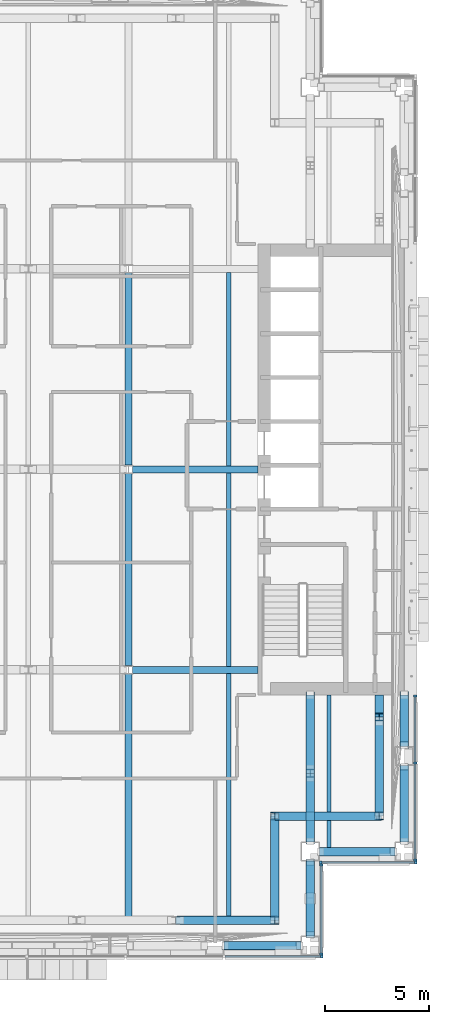
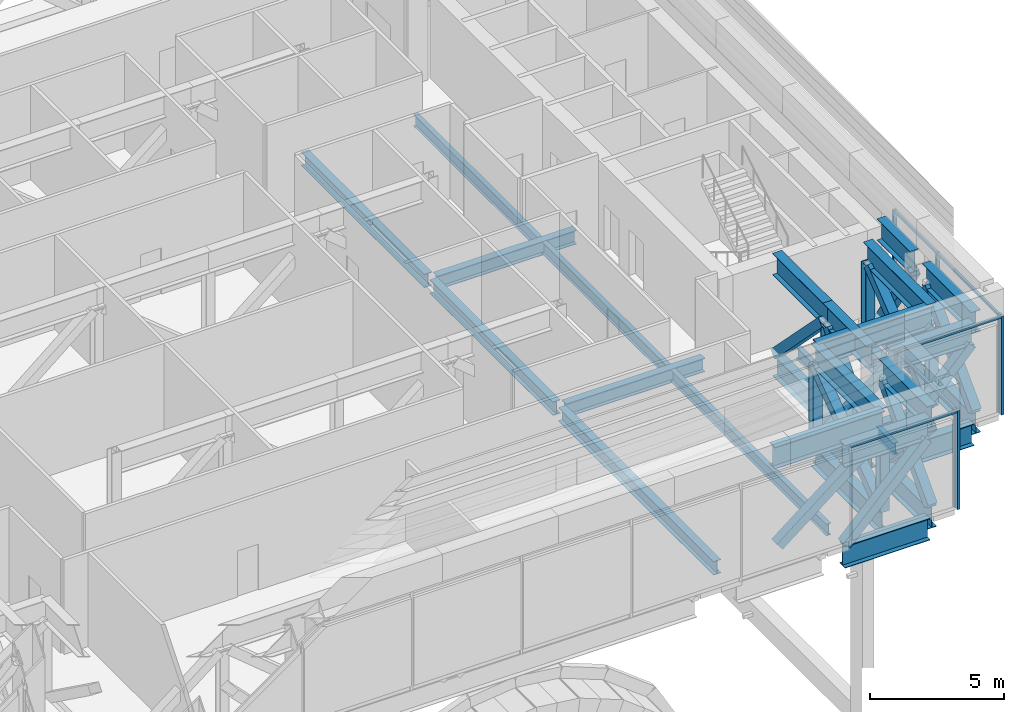
# One storey, part 5 of 38: 51 members, 10 beams, 4 elements without a shape of their own.
"""IFC4 building model written with IfcOpenShell, lengths in metres."""

from ifc_helpers import new_model, si_unit, direction, frame, origin, origin_2d, place, context, subcontext, project, spatial, rectangle, hollow_rectangle, i_section, extrude, material, material_profile, profile_set, type_object, element, aggregate, save


model = new_model("IFC4")

# Units and contexts
model_context = context("Model", 3, precision=1e-05, world=origin(), true_north=direction((0.0, 1.0)))
body_context = subcontext(model_context, "Body", "Model", "MODEL_VIEW")
ifc_project = project(units=[si_unit("LENGTHUNIT", "METRE"), si_unit("AREAUNIT", "SQUARE_METRE"), si_unit("VOLUMEUNIT", "CUBIC_METRE"), si_unit("PLANEANGLEUNIT", "RADIAN"), si_unit("MASSUNIT", "GRAM", prefix="KILO")], contexts=[model_context])

# Site, building, storey
site_placement = place(None, origin())
site = spatial("IfcSite", under=ifc_project, at=site_placement, CompositionType="ELEMENT")
building_placement = place(site_placement, origin())
building = spatial("IfcBuilding", under=site, at=building_placement, Name="Cobrizo Arcos Hotel Tower", CompositionType="ELEMENT")
storey_placement = place(building_placement, frame((0.0, 0.0, 138.0)))
storey = spatial("IfcBuildingStorey", under=building, at=storey_placement, Name="L35", CompositionType="ELEMENT", Elevation=138.0)

# Curtain wall, member
ifc_material_1 = material(Name="Aluminium 6063-T6 anodised bronze", Category="aluminium")
curtain_wall_type = type_object("IfcCurtainWallType", Name="CW-D plant louvre wall", PredefinedType="NOTDEFINED", material=ifc_material_1)
curtain_wall_1_placement = place(storey_placement, origin())
curtain_wall_1 = element("IfcCurtainWall", 1, at=curtain_wall_1_placement, inside=storey, type_object=curtain_wall_type, Name="CW-D L35 S face", PredefinedType="NOTDEFINED")
ifc_material_profile_1 = material_profile(ifc_material_1, rectangle(XDim=0.14990234375, YDim=0.10009765625, at=origin_2d()), Name="CW-D mullion 150x100")
ifc_profile_set_1 = profile_set([ifc_material_profile_1], Name="Aluminium 6063-T6 anodised bronze")
member_type_1 = type_object("IfcMemberType", Name="CW-D mullion 150x100", PredefinedType="MULLION", material=ifc_profile_set_1)
member_1_placement = place(storey_placement, frame((18.85009765625, -23.324951171875, 0.0), z_axis=(0.0, 0.0, 1.0), x_axis=(0.0, -1.0, 0.0)))
member_1 = element("IfcMember", 2, at=member_1_placement, type_object=member_type_1, Name="CW-D mullion 9", PredefinedType="MULLION", context=body_context, shape_type="SweptSolid", body=[
    extrude(rectangle(XDim=0.14990234375, YDim=0.10009765625, at=origin_2d()), origin(), (0.0, 0.0, 1.0), 4.5),
])

# Curtain wall, members
curtain_wall_2_placement = place(storey_placement, origin())
curtain_wall_2 = element("IfcCurtainWall", 3, at=curtain_wall_2_placement, inside=storey, type_object=curtain_wall_type, Name="CW-D L35 E face", PredefinedType="NOTDEFINED")
member_2_placement = place(storey_placement, frame((18.824951171875, -23.199951171875, 0.0), z_axis=(0.0, 0.0, 1.0), x_axis=(1.0, 0.0, 0.0)))
member_2 = element("IfcMember", 4, at=member_2_placement, type_object=member_type_1, Name="CW-D mullion 1", PredefinedType="MULLION", context=body_context, shape_type="SweptSolid", body=[
    extrude(rectangle(XDim=0.14990234375, YDim=0.10009765625, at=origin_2d()), origin(), (0.0, 0.0, 1.0), 4.5),
])
member_3_placement = place(storey_placement, frame((18.824951171875, -18.949951171875, 0.0), z_axis=(0.0, 0.0, 1.0), x_axis=(1.0, 0.0, 0.0)))
member_3 = element("IfcMember", 5, at=member_3_placement, type_object=member_type_1, Name="CW-D mullion 2", PredefinedType="MULLION", context=body_context, shape_type="SweptSolid", body=[
    extrude(rectangle(XDim=0.14990234375, YDim=0.10009765625, at=origin_2d()), origin(), (0.0, 0.0, 1.0), 4.5),
])

curtain_wall_3_placement = place(storey_placement, origin())
curtain_wall_3 = element("IfcCurtainWall", 6, at=curtain_wall_3_placement, inside=storey, type_object=curtain_wall_type, Name="CW-D L35 S face", PredefinedType="NOTDEFINED")
member_4_placement = place(storey_placement, frame((18.800048828125, -18.824951171875, 0.0), z_axis=(0.0, 0.0, 1.0), x_axis=(0.0, -1.0, 0.0)))
member_4 = element("IfcMember", 7, at=member_4_placement, type_object=member_type_1, Name="CW-D mullion 1", PredefinedType="MULLION", context=body_context, shape_type="SweptSolid", body=[
    extrude(rectangle(XDim=0.14990234375, YDim=0.10009765625, at=origin_2d()), origin(), (0.0, 0.0, 1.0), 4.5),
])
member_5_placement = place(storey_placement, frame((23.35009765625, -18.824951171875, 0.0), z_axis=(0.0, 0.0, 1.0), x_axis=(0.0, -1.0, 0.0)))
member_5 = element("IfcMember", 8, at=member_5_placement, type_object=member_type_1, Name="CW-D mullion 2", PredefinedType="MULLION", context=body_context, shape_type="SweptSolid", body=[
    extrude(rectangle(XDim=0.14990234375, YDim=0.10009765625, at=origin_2d()), origin(), (0.0, 0.0, 1.0), 4.5),
])

curtain_wall_4_placement = place(storey_placement, origin())
curtain_wall_4 = element("IfcCurtainWall", 9, at=curtain_wall_4_placement, inside=storey, type_object=curtain_wall_type, Name="CW-D L35 E face", PredefinedType="NOTDEFINED")
member_6_placement = place(storey_placement, frame((23.324951171875, -18.699951171875, 0.0), z_axis=(0.0, 0.0, 1.0), x_axis=(1.0, 0.0, 0.0)))
member_6 = element("IfcMember", 10, at=member_6_placement, type_object=member_type_1, Name="CW-D mullion 1", PredefinedType="MULLION", context=body_context, shape_type="SweptSolid", body=[
    extrude(rectangle(XDim=0.14990234375, YDim=0.10009765625, at=origin_2d()), origin(), (0.0, 0.0, 1.0), 4.5),
])
member_7_placement = place(storey_placement, frame((23.324951171875, -14.0625, 0.0), z_axis=(0.0, 0.0, 1.0), x_axis=(1.0, 0.0, 0.0)))
member_7 = element("IfcMember", 11, at=member_7_placement, type_object=member_type_1, Name="CW-D mullion 2", PredefinedType="MULLION", context=body_context, shape_type="SweptSolid", body=[
    extrude(rectangle(XDim=0.14990234375, YDim=0.10009765625, at=origin_2d()), origin(), (0.0, 0.0, 1.0), 4.5),
])
member_8_placement = place(storey_placement, frame((23.324951171875, -10.85009765625, 0.0), z_axis=(0.0, 0.0, 1.0), x_axis=(1.0, 0.0, 0.0)))
member_8 = element("IfcMember", 12, at=member_8_placement, type_object=member_type_1, Name="CW-D mullion 3", PredefinedType="MULLION", context=body_context, shape_type="SweptSolid", body=[
    extrude(rectangle(XDim=0.14990234375, YDim=0.10009765625, at=origin_2d()), origin(), (0.0, 0.0, 1.0), 4.5),
])

# Member
ifc_material_profile_2 = material_profile(ifc_material_1, rectangle(XDim=0.10009765625, YDim=0.10009765625, at=origin_2d()), Name="CW-D transom 100x100")
ifc_profile_set_2 = profile_set([ifc_material_profile_2], Name="Aluminium 6063-T6 anodised bronze")
member_type_2 = type_object("IfcMemberType", Name="CW-D transom 100x100", PredefinedType="USERDEFINED", material=ifc_profile_set_2)
member_9_placement = place(storey_placement, frame((14.22509765625, -23.324951171875, 4.449951171875), z_axis=(1.0, 0.0, 0.0), x_axis=(0.0, 1.0, 0.0)))
member_9 = element("IfcMember", 13, at=member_9_placement, type_object=member_type_2, Name="CW-D transom 1282", ObjectType="TRANSOM", PredefinedType="USERDEFINED", context=body_context, shape_type="SweptSolid", body=[
    extrude(rectangle(XDim=0.10009765625, YDim=0.10009765625, at=origin_2d()), origin(), (0.0, 0.0, 1.0), 4.574951171875),
])

aggregate(curtain_wall_1, [member_1, member_9])

member_10_placement = place(storey_placement, frame((18.824951171875, -23.14990234375, 4.449951171875), z_axis=(0.0, 1.0, 0.0), x_axis=(-1.0, 0.0, 0.0)))
member_10 = element("IfcMember", 14, at=member_10_placement, type_object=member_type_2, Name="CW-D transom 1283", ObjectType="TRANSOM", PredefinedType="USERDEFINED", context=body_context, shape_type="SweptSolid", body=[
    extrude(rectangle(XDim=0.10009765625, YDim=0.10009765625, at=origin_2d()), origin(), (0.0, 0.0, 1.0), 4.14990234375),
])

aggregate(curtain_wall_2, [member_2, member_3, member_10])

member_11_placement = place(storey_placement, frame((18.85009765625, -18.824951171875, 4.449951171875), z_axis=(1.0, 0.0, 0.0), x_axis=(0.0, 1.0, 0.0)))
member_11 = element("IfcMember", 15, at=member_11_placement, type_object=member_type_2, Name="CW-D transom 1284", ObjectType="TRANSOM", PredefinedType="USERDEFINED", context=body_context, shape_type="SweptSolid", body=[
    extrude(rectangle(XDim=0.10009765625, YDim=0.10009765625, at=origin_2d()), origin(), (0.0, 0.0, 1.0), 4.449951171875),
])

aggregate(curtain_wall_3, [member_4, member_5, member_11])

member_12_placement = place(storey_placement, frame((23.324951171875, -18.64990234375, 4.449951171875), z_axis=(0.0, 1.0, 0.0), x_axis=(-1.0, 0.0, 0.0)))
member_12 = element("IfcMember", 16, at=member_12_placement, type_object=member_type_2, Name="CW-D transom 1285", ObjectType="TRANSOM", PredefinedType="USERDEFINED", context=body_context, shape_type="SweptSolid", body=[
    extrude(rectangle(XDim=0.10009765625, YDim=0.10009765625, at=origin_2d()), origin(), (0.0, 0.0, 1.0), 4.537353515625),
])

member_13_placement = place(storey_placement, frame((23.324951171875, -14.012451171875, 4.449951171875), z_axis=(0.0, 1.0, 0.0), x_axis=(-1.0, 0.0, 0.0)))
member_13 = element("IfcMember", 17, at=member_13_placement, type_object=member_type_2, Name="CW-D transom 1286", ObjectType="TRANSOM", PredefinedType="USERDEFINED", context=body_context, shape_type="SweptSolid", body=[
    extrude(rectangle(XDim=0.10009765625, YDim=0.10009765625, at=origin_2d()), origin(), (0.0, 0.0, 1.0), 3.112548828125),
])

aggregate(curtain_wall_4, [member_6, member_7, member_8, member_12, member_13])

# Members
ifc_material_2 = material(Name="Steel ASTM A500 Grade C", Category="steel")
ifc_material_profile_3 = material_profile(ifc_material_2, hollow_rectangle(XDim=0.406494140625, YDim=0.406494140625, WallThickness=0.014892578125, at=origin_2d()), Name="HSS16X16X5/8")
ifc_profile_set_3 = profile_set([ifc_material_profile_3], Name="Steel ASTM A500 Grade C")
member_type_3 = type_object("IfcMemberType", Name="HSS16X16X5/8 truss diagonal", PredefinedType="BRACE", material=ifc_profile_set_3)
member_14_placement = place(storey_placement, frame((14.2548828125, -22.800048828125, -0.300048828125), z_axis=(0.697692612805, 0.0, 0.716397248764), x_axis=(0.0, 1.0, 0.0)))
element("IfcMember", 18, at=member_14_placement, inside=storey, type_object=member_type_3, Name="Belt truss diagonal TD1, L35, no. 007", PredefinedType="BRACE", context=body_context, shape_type="SweptSolid", body=[
    extrude(hollow_rectangle(XDim=0.406494140625, YDim=0.406494140625, WallThickness=0.014892578125, at=origin_2d()), origin(), (0.0, 0.0, 1.0), 5.038330078125),
])
for number, where, z_axis, x_axis, name in (
    (19, (18.300048828125, -22.27001953125, -0.300048828125), (0.0, 0.689911887798, 0.723893353385), (-1.0, 0.0, 0.0), "Belt truss diagonal TD1, L35, no. 008"),
    (20, (18.830078125, -18.300048828125, -0.300048828125), (0.689911887798, 0.0, 0.723893353385), (0.0, 1.0, 0.0), "Belt truss diagonal TD1, L35, no. 009"),
):
    element("IfcMember", number, at=place(storey_placement, frame(where, z_axis=z_axis, x_axis=x_axis)), inside=storey, type_object=member_type_3, Name=name, PredefinedType="BRACE", context=body_context, shape_type="SweptSolid", body=[
        extrude(hollow_rectangle(XDim=0.406494140625, YDim=0.406494140625, WallThickness=0.014892578125, at=origin_2d()), origin(), (0.0, 0.0, 1.0), 4.986083984375),
    ])
member_15_placement = place(storey_placement, frame((22.800048828125, -17.77001953125, -0.300048828125), z_axis=(0.0, 0.697692612805, 0.716397248764), x_axis=(-1.0, 0.0, 0.0)))
element("IfcMember", 21, at=member_15_placement, inside=storey, type_object=member_type_3, Name="Belt truss diagonal TD1, L35, no. 010", PredefinedType="BRACE", context=body_context, shape_type="SweptSolid", body=[
    extrude(hollow_rectangle(XDim=0.406494140625, YDim=0.406494140625, WallThickness=0.014892578125, at=origin_2d()), origin(), (0.0, 0.0, 1.0), 5.038330078125),
])
member_16_placement = place(storey_placement, frame((22.800048828125, -13.195068359375, 3.309326171875), z_axis=(0.0, 0.552747460916, -0.833348813194), x_axis=(-1.0, 0.0, 0.0)))
element("IfcMember", 22, at=member_16_placement, inside=storey, type_object=member_type_3, Name="Belt truss diagonal TD1, L35, no. 011", PredefinedType="BRACE", context=body_context, shape_type="SweptSolid", body=[
    extrude(hollow_rectangle(XDim=0.406494140625, YDim=0.406494140625, WallThickness=0.014892578125, at=origin_2d()), origin(), (0.0, 0.0, 1.0), 4.3310546875),
])
member_17_placement = place(storey_placement, frame((12.056884765625, -21.60009765625, -0.300048828125), z_axis=(0.782982461562, 0.0, 0.622043780522), x_axis=(0.0, 1.0, 0.0)))
element("IfcMember", 23, at=member_17_placement, inside=storey, type_object=member_type_3, Name="Belt truss diagonal TD1, L35, no. 037", PredefinedType="BRACE", context=body_context, shape_type="SweptSolid", body=[
    extrude(hollow_rectangle(XDim=0.406494140625, YDim=0.406494140625, WallThickness=0.014892578125, at=origin_2d()), origin(), (0.0, 0.0, 1.0), 5.802490234375),
])
for number, where, z_axis, x_axis, name in (
    (24, (16.60009765625, -21.60009765625, -0.300048828125), (0.0, 0.810812835162, 0.585305515382), (-1.0, 0.0, 0.0), "Belt truss diagonal TD1, L35, no. 038"),
    (25, (16.60009765625, -16.60009765625, -0.300048828125), (0.810812835162, 0.0, 0.585305515382), (0.0, 1.0, 0.0), "Belt truss diagonal TD1, L35, no. 039"),
):
    element("IfcMember", number, at=place(storey_placement, frame(where, z_axis=z_axis, x_axis=x_axis)), inside=storey, type_object=member_type_3, Name=name, PredefinedType="BRACE", context=body_context, shape_type="SweptSolid", body=[
        extrude(hollow_rectangle(XDim=0.406494140625, YDim=0.406494140625, WallThickness=0.014892578125, at=origin_2d()), origin(), (0.0, 0.0, 1.0), 6.166748046875),
    ])
member_18_placement = place(storey_placement, frame((21.60009765625, -16.60009765625, -0.300048828125), z_axis=(0.0, 0.782982461562, 0.622043780522), x_axis=(-1.0, 0.0, 0.0)))
element("IfcMember", 26, at=member_18_placement, inside=storey, type_object=member_type_3, Name="Belt truss diagonal TD1, L35, no. 040", PredefinedType="BRACE", context=body_context, shape_type="SweptSolid", body=[
    extrude(hollow_rectangle(XDim=0.406494140625, YDim=0.406494140625, WallThickness=0.014892578125, at=origin_2d()), origin(), (0.0, 0.0, 1.0), 5.802490234375),
])
member_19_placement = place(storey_placement, frame((18.300048828125, -10.800048828125, -0.300048828125), z_axis=(0.0, -0.70122330533, 0.712941705935), x_axis=(1.0, 0.0, 0.0)))
element("IfcMember", 27, at=member_19_placement, inside=storey, type_object=member_type_3, Name="Outrigger diagonal TD1, L35, no. 001", PredefinedType="BRACE", context=body_context, shape_type="SweptSolid", body=[
    extrude(hollow_rectangle(XDim=0.406494140625, YDim=0.406494140625, WallThickness=0.014892578125, at=origin_2d()), origin(), (0.0, 0.0, 1.0), 5.062744140625),
])
member_20_placement = place(storey_placement, frame((18.300048828125, -14.75, 3.309326171875), z_axis=(0.0, -0.641713914512, -0.766944099607), x_axis=(1.0, 0.0, 0.0)))
element("IfcMember", 28, at=member_20_placement, inside=storey, type_object=member_type_3, Name="Outrigger diagonal TD1, L35, no. 002", PredefinedType="BRACE", context=body_context, shape_type="SweptSolid", body=[
    extrude(hollow_rectangle(XDim=0.406494140625, YDim=0.406494140625, WallThickness=0.014892578125, at=origin_2d()), origin(), (0.0, 0.0, 1.0), 4.706298828125),
])
for number, where, z_axis, x_axis, name in (
    (29, (18.300048828125, -18.830078125, -0.300048828125), (0.0, -0.689904799706, 0.723900108677), (1.0, 0.0, 0.0), "Outrigger diagonal TD1, L35, no. 003"),
    (30, (18.300048828125, -20.669677734375, 1.630126953125), (0.0, -0.689904799706, 0.723900108677), (1.0, 0.0, 0.0), "Outrigger diagonal TD1, L35, no. 003b"),
):
    element("IfcMember", number, at=place(storey_placement, frame(where, z_axis=z_axis, x_axis=x_axis)), inside=storey, type_object=member_type_3, Name=name, PredefinedType="BRACE", context=body_context, shape_type="SweptSolid", body=[
        extrude(hollow_rectangle(XDim=0.406494140625, YDim=0.406494140625, WallThickness=0.014892578125, at=origin_2d()), origin(), (0.0, 0.0, 1.0), 2.319580078125),
    ])
ifc_material_3 = material(Name="Steel ASTM A992 Grade 50", Category="steel")
ifc_material_profile_4 = material_profile(ifc_material_3, i_section(OverallWidth=0.373291015625, OverallDepth=0.373291015625, WebThickness=0.016357421875, FlangeThickness=0.026123046875, at=origin_2d()), Name="W14X132")
ifc_profile_set_4 = profile_set([ifc_material_profile_4], Name="Steel ASTM A992 Grade 50")
member_type_4 = type_object("IfcMemberType", Name="W14X132 truss post", PredefinedType="POST", material=ifc_profile_set_4)
for number, where, z_axis, x_axis, name in (
    (31, (16.60009765625, -21.60009765625, -0.300048828125), (0.0, 0.0, 1.0), (1.0, 0.0, 0.0), "Truss post TP1, L35, no. 012"),
    (32, (16.60009765625, -16.60009765625, -0.300048828125), (0.0, 0.0, 1.0), (1.0, 0.0, 0.0), "Truss post TP1, L35, no. 013"),
    (33, (21.60009765625, -16.60009765625, -0.300048828125), (0.0, 0.0, 1.0), (1.0, 0.0, 0.0), "Truss post TP1, L35, no. 014"),
    (34, (21.60009765625, -11.85693359375, -0.300048828125), (0.0, 0.0, 1.0), (1.0, 0.0, 0.0), "Truss post TP1, L35, no. 015"),
    (35, (18.300048828125, -14.550048828125, -0.300048828125), (0.0, 0.0, 1.0), (1.0, 0.0, 0.0), "Truss post TP1, L35, no. 033"),
):
    element("IfcMember", number, at=place(storey_placement, frame(where, z_axis=z_axis, x_axis=x_axis)), inside=storey, type_object=member_type_4, Name=name, PredefinedType="POST", context=body_context, shape_type="SweptSolid", body=[
        extrude(i_section(OverallWidth=0.373291015625, OverallDepth=0.373291015625, WebThickness=0.016357421875, FlangeThickness=0.026123046875, at=origin_2d()), origin(), (0.0, 0.0, 1.0), 3.609375),
    ])

# Beams
ifc_material_profile_5 = material_profile(ifc_material_3, i_section(OverallWidth=0.209228515625, OverallDepth=0.533447265625, WebThickness=0.01025390625, FlangeThickness=0.015625, at=origin_2d()), Name="W21X62")
ifc_profile_set_5 = profile_set([ifc_material_profile_5], Name="Steel ASTM A992 Grade 50")
beam_type_1 = type_object("IfcBeamType", Name="W21X62 joist", PredefinedType="JOIST", material=ifc_profile_set_5)
beam_1_placement = place(storey_placement, frame((14.39990234375, -21.3994140625, -0.566650390625), z_axis=(0.0, 1.0, 0.0), x_axis=(-1.0, 0.0, 0.0)))
element("IfcBeam", 36, at=beam_1_placement, inside=storey, type_object=beam_type_1, Name="Floor joist J1, L35, no. 017", PredefinedType="JOIST", context=body_context, shape_type="SweptSolid", body=[
    extrude(i_section(OverallWidth=0.209228515625, OverallDepth=0.533447265625, WebThickness=0.01025390625, FlangeThickness=0.015625, at=origin_2d()), origin(), (0.0, 0.0, 1.0), 11.635498046875),
])
for number, where, z_axis, x_axis, name in (
    (37, (14.39990234375, -9.43603515625, -0.566650390625), (0.0, 1.0, 0.0), (-1.0, 0.0, 0.0), "Floor joist J1, L35, no. 018"),
    (38, (14.39990234375, 0.163818359375, -0.566650390625), (0.0, 1.0, 0.0), (-1.0, 0.0, 0.0), "Floor joist J1, L35, no. 019"),
):
    element("IfcBeam", number, at=place(storey_placement, frame(where, z_axis=z_axis, x_axis=x_axis)), inside=storey, type_object=beam_type_1, Name=name, PredefinedType="JOIST", context=body_context, shape_type="SweptSolid", body=[
        extrude(i_section(OverallWidth=0.209228515625, OverallDepth=0.533447265625, WebThickness=0.01025390625, FlangeThickness=0.015625, at=origin_2d()), origin(), (0.0, 0.0, 1.0), 9.272216796875),
    ])
beam_2_placement = place(storey_placement, frame((19.199951171875, -18.099609375, -0.566650390625), z_axis=(0.0, 1.0, 0.0), x_axis=(-1.0, 0.0, 0.0)))
element("IfcBeam", 39, at=beam_2_placement, inside=storey, type_object=beam_type_1, Name="Floor joist J1, L35, no. 021", PredefinedType="JOIST", context=body_context, shape_type="SweptSolid", body=[
    extrude(i_section(OverallWidth=0.209228515625, OverallDepth=0.533447265625, WebThickness=0.01025390625, FlangeThickness=0.015625, at=origin_2d()), origin(), (0.0, 0.0, 1.0), 1.299072265625),
])
beam_3_placement = place(storey_placement, frame((19.199951171875, -16.3994140625, -0.566650390625), z_axis=(0.0, 1.0, 0.0), x_axis=(-1.0, 0.0, 0.0)))
element("IfcBeam", 40, at=beam_3_placement, inside=storey, type_object=beam_type_1, Name="Floor joist J1, L35, no. 022", PredefinedType="JOIST", context=body_context, shape_type="SweptSolid", body=[
    extrude(i_section(OverallWidth=0.209228515625, OverallDepth=0.533447265625, WebThickness=0.01025390625, FlangeThickness=0.015625, at=origin_2d()), origin(), (0.0, 0.0, 1.0), 5.58935546875),
])
ifc_material_profile_6 = material_profile(ifc_material_3, i_section(OverallWidth=0.32763671875, OverallDepth=0.622314453125, WebThickness=0.015380859375, FlangeThickness=0.0244140625, at=origin_2d()), Name="W24X131")
ifc_profile_set_6 = profile_set([ifc_material_profile_6], Name="Steel ASTM A992 Grade 50")
beam_type_2 = type_object("IfcBeamType", Name="W24X131 girder", PredefinedType="BEAM", material=ifc_profile_set_6)
for number, where, z_axis, x_axis, name in (
    (41, (9.79931640625, -9.60009765625, -0.611083984375), (1.0, 0.0, 0.0), (0.0, 1.0, 0.0), "Floor girder G1, L35, no. 002"),
    (42, (9.79931640625, 0.0, -0.611083984375), (1.0, 0.0, 0.0), (0.0, 1.0, 0.0), "Floor girder G1, L35, no. 004"),
):
    element("IfcBeam", number, at=place(storey_placement, frame(where, z_axis=z_axis, x_axis=x_axis)), inside=storey, type_object=beam_type_2, Name=name, PredefinedType="BEAM", context=body_context, shape_type="SweptSolid", body=[
        extrude(i_section(OverallWidth=0.32763671875, OverallDepth=0.622314453125, WebThickness=0.015380859375, FlangeThickness=0.0244140625, at=origin_2d()), origin(), (0.0, 0.0, 1.0), 5.99072265625),
    ])
beam_4_placement = place(storey_placement, frame((9.60009765625, -21.3994140625, -0.611083984375), z_axis=(0.0, 1.0, 0.0), x_axis=(-1.0, 0.0, 0.0)))
element("IfcBeam", 43, at=beam_4_placement, inside=storey, type_object=beam_type_2, Name="Floor girder G1, L35, no. 015", PredefinedType="BEAM", context=body_context, shape_type="SweptSolid", body=[
    extrude(i_section(OverallWidth=0.32763671875, OverallDepth=0.622314453125, WebThickness=0.015380859375, FlangeThickness=0.0244140625, at=origin_2d()), origin(), (0.0, 0.0, 1.0), 11.598876953125),
])
for number, where, z_axis, x_axis, name in (
    (44, (9.60009765625, -9.3994140625, -0.611083984375), (0.0, 1.0, 0.0), (-1.0, 0.0, 0.0), "Floor girder G1, L35, no. 016"),
    (45, (9.60009765625, 0.200439453125, -0.611083984375), (0.0, 1.0, 0.0), (-1.0, 0.0, 0.0), "Floor girder G1, L35, no. 017"),
):
    element("IfcBeam", number, at=place(storey_placement, frame(where, z_axis=z_axis, x_axis=x_axis)), inside=storey, type_object=beam_type_2, Name=name, PredefinedType="BEAM", context=body_context, shape_type="SweptSolid", body=[
        extrude(i_section(OverallWidth=0.32763671875, OverallDepth=0.622314453125, WebThickness=0.015380859375, FlangeThickness=0.0244140625, at=origin_2d()), origin(), (0.0, 0.0, 1.0), 9.198974609375),
    ])

# Members
ifc_material_profile_7 = material_profile(ifc_material_3, i_section(OverallWidth=0.4013671875, OverallDepth=0.990478515625, WebThickness=0.0166015625, FlangeThickness=0.025390625, at=origin_2d()), Name="W40X215")
ifc_profile_set_7 = profile_set([ifc_material_profile_7], Name="Steel ASTM A992 Grade 50")
member_type_5 = type_object("IfcMemberType", Name="W40X215 belt truss chord", PredefinedType="CHORD", material=ifc_profile_set_7)
for number, where, z_axis, x_axis, name in (
    (46, (14.175048828125, -22.800048828125, -0.79541015625), (1.0, 0.0, 0.0), (0.0, 1.0, 0.0), "Belt truss bottom chord TC1, L35, no. 005"),
    (47, (14.175048828125, -22.800048828125, 3.8046875), (1.0, 0.0, 0.0), (0.0, 1.0, 0.0), "Belt truss top chord TC1, L35, no. 007"),
):
    element("IfcMember", number, at=place(storey_placement, frame(where, z_axis=z_axis, x_axis=x_axis)), inside=storey, type_object=member_type_5, Name=name, PredefinedType="CHORD", context=body_context, shape_type="SweptSolid", body=[
        extrude(i_section(OverallWidth=0.4013671875, OverallDepth=0.990478515625, WebThickness=0.0166015625, FlangeThickness=0.025390625, at=origin_2d()), origin(), (0.0, 0.0, 1.0), 3.675048828125),
    ])
for number, where, z_axis, x_axis, name in (
    (48, (18.300048828125, -22.35009765625, -0.79541015625), (0.0, 1.0, 0.0), (-1.0, 0.0, 0.0), "Belt truss bottom chord TC1, L35, no. 006"),
    (49, (18.300048828125, -22.35009765625, 3.8046875), (0.0, 1.0, 0.0), (-1.0, 0.0, 0.0), "Belt truss top chord TC1, L35, no. 008"),
    (50, (18.75, -18.300048828125, -0.79541015625), (1.0, 0.0, 0.0), (0.0, 1.0, 0.0), "Belt truss bottom chord TC1, L35, no. 007"),
    (51, (18.75, -18.300048828125, 3.8046875), (1.0, 0.0, 0.0), (0.0, 1.0, 0.0), "Belt truss top chord TC1, L35, no. 009"),
):
    element("IfcMember", number, at=place(storey_placement, frame(where, z_axis=z_axis, x_axis=x_axis)), inside=storey, type_object=member_type_5, Name=name, PredefinedType="CHORD", context=body_context, shape_type="SweptSolid", body=[
        extrude(i_section(OverallWidth=0.4013671875, OverallDepth=0.990478515625, WebThickness=0.0166015625, FlangeThickness=0.025390625, at=origin_2d()), origin(), (0.0, 0.0, 1.0), 3.60009765625),
    ])
member_21_placement = place(storey_placement, frame((22.800048828125, -17.85009765625, -0.79541015625), z_axis=(0.0, 1.0, 0.0), x_axis=(-1.0, 0.0, 0.0)))
element("IfcMember", 52, at=member_21_placement, inside=storey, type_object=member_type_5, Name="Belt truss bottom chord TC1, L35, no. 008", PredefinedType="CHORD", context=body_context, shape_type="SweptSolid", body=[
    extrude(i_section(OverallWidth=0.4013671875, OverallDepth=0.990478515625, WebThickness=0.0166015625, FlangeThickness=0.025390625, at=origin_2d()), origin(), (0.0, 0.0, 1.0), 3.675048828125),
])
member_22_placement = place(storey_placement, frame((22.800048828125, -13.27490234375, -0.79541015625), z_axis=(0.0, 1.0, 0.0), x_axis=(-1.0, 0.0, 0.0)))
element("IfcMember", 53, at=member_22_placement, inside=storey, type_object=member_type_5, Name="Belt truss bottom chord TC1, L35, no. 009", PredefinedType="CHORD", context=body_context, shape_type="SweptSolid", body=[
    extrude(i_section(OverallWidth=0.4013671875, OverallDepth=0.990478515625, WebThickness=0.0166015625, FlangeThickness=0.025390625, at=origin_2d()), origin(), (0.0, 0.0, 1.0), 2.473876953125),
])
member_23_placement = place(storey_placement, frame((22.800048828125, -17.85009765625, 3.8046875), z_axis=(0.0, 1.0, 0.0), x_axis=(-1.0, 0.0, 0.0)))
element("IfcMember", 54, at=member_23_placement, inside=storey, type_object=member_type_5, Name="Belt truss top chord TC1, L35, no. 010", PredefinedType="CHORD", context=body_context, shape_type="SweptSolid", body=[
    extrude(i_section(OverallWidth=0.4013671875, OverallDepth=0.990478515625, WebThickness=0.0166015625, FlangeThickness=0.025390625, at=origin_2d()), origin(), (0.0, 0.0, 1.0), 3.675048828125),
])
member_24_placement = place(storey_placement, frame((22.800048828125, -13.27490234375, 3.8046875), z_axis=(0.0, 1.0, 0.0), x_axis=(-1.0, 0.0, 0.0)))
element("IfcMember", 55, at=member_24_placement, inside=storey, type_object=member_type_5, Name="Belt truss top chord TC1, L35, no. 011", PredefinedType="CHORD", context=body_context, shape_type="SweptSolid", body=[
    extrude(i_section(OverallWidth=0.4013671875, OverallDepth=0.990478515625, WebThickness=0.0166015625, FlangeThickness=0.025390625, at=origin_2d()), origin(), (0.0, 0.0, 1.0), 2.473876953125),
])
member_25_placement = place(storey_placement, frame((11.85693359375, -21.60009765625, 3.8046875), z_axis=(1.0, 0.0, 0.0), x_axis=(0.0, 1.0, 0.0)))
element("IfcMember", 56, at=member_25_placement, inside=storey, type_object=member_type_5, Name="Belt truss top chord TC1, L35, no. 037", PredefinedType="CHORD", context=body_context, shape_type="SweptSolid", body=[
    extrude(i_section(OverallWidth=0.4013671875, OverallDepth=0.990478515625, WebThickness=0.0166015625, FlangeThickness=0.025390625, at=origin_2d()), origin(), (0.0, 0.0, 1.0), 4.7431640625),
])
for number, where, z_axis, x_axis, name in (
    (57, (16.60009765625, -21.60009765625, -0.79541015625), (0.0, 1.0, 0.0), (-1.0, 0.0, 0.0), "Belt truss bottom chord TC1, L35, no. 028"),
    (58, (16.60009765625, -21.60009765625, 3.8046875), (0.0, 1.0, 0.0), (-1.0, 0.0, 0.0), "Belt truss top chord TC1, L35, no. 038"),
    (59, (16.60009765625, -16.60009765625, -0.79541015625), (1.0, 0.0, 0.0), (0.0, 1.0, 0.0), "Belt truss bottom chord TC1, L35, no. 029"),
    (60, (16.60009765625, -16.60009765625, 3.8046875), (1.0, 0.0, 0.0), (0.0, 1.0, 0.0), "Belt truss top chord TC1, L35, no. 039"),
):
    element("IfcMember", number, at=place(storey_placement, frame(where, z_axis=z_axis, x_axis=x_axis)), inside=storey, type_object=member_type_5, Name=name, PredefinedType="CHORD", context=body_context, shape_type="SweptSolid", body=[
        extrude(i_section(OverallWidth=0.4013671875, OverallDepth=0.990478515625, WebThickness=0.0166015625, FlangeThickness=0.025390625, at=origin_2d()), origin(), (0.0, 0.0, 1.0), 5.0),
    ])
member_26_placement = place(storey_placement, frame((21.60009765625, -16.60009765625, -0.79541015625), z_axis=(0.0, 1.0, 0.0), x_axis=(-1.0, 0.0, 0.0)))
element("IfcMember", 61, at=member_26_placement, inside=storey, type_object=member_type_5, Name="Belt truss bottom chord TC1, L35, no. 030", PredefinedType="CHORD", context=body_context, shape_type="SweptSolid", body=[
    extrude(i_section(OverallWidth=0.4013671875, OverallDepth=0.990478515625, WebThickness=0.0166015625, FlangeThickness=0.025390625, at=origin_2d()), origin(), (0.0, 0.0, 1.0), 5.799072265625),
])
member_27_placement = place(storey_placement, frame((21.60009765625, -16.60009765625, 3.8046875), z_axis=(0.0, 1.0, 0.0), x_axis=(-1.0, 0.0, 0.0)))
element("IfcMember", 62, at=member_27_placement, inside=storey, type_object=member_type_5, Name="Belt truss top chord TC1, L35, no. 040", PredefinedType="CHORD", context=body_context, shape_type="SweptSolid", body=[
    extrude(i_section(OverallWidth=0.4013671875, OverallDepth=0.990478515625, WebThickness=0.0166015625, FlangeThickness=0.025390625, at=origin_2d()), origin(), (0.0, 0.0, 1.0), 4.7431640625),
])
member_28_placement = place(storey_placement, frame((18.300048828125, -10.800048828125, -0.79541015625), z_axis=(0.0, -1.0, 0.0), x_axis=(1.0, 0.0, 0.0)))
element("IfcMember", 63, at=member_28_placement, inside=storey, type_object=member_type_5, Name="Outrigger bottom chord TC1, L35, no. 001", PredefinedType="CHORD", context=body_context, shape_type="SweptSolid", body=[
    extrude(i_section(OverallWidth=0.4013671875, OverallDepth=0.990478515625, WebThickness=0.0166015625, FlangeThickness=0.025390625, at=origin_2d()), origin(), (0.0, 0.0, 1.0), 7.050048828125),
])
member_29_placement = place(storey_placement, frame((18.300048828125, -10.800048828125, 3.8046875), z_axis=(0.0, -1.0, 0.0), x_axis=(1.0, 0.0, 0.0)))
element("IfcMember", 64, at=member_29_placement, inside=storey, type_object=member_type_5, Name="Outrigger top chord TC1, L35, no. 001", PredefinedType="CHORD", context=body_context, shape_type="SweptSolid", body=[
    extrude(i_section(OverallWidth=0.4013671875, OverallDepth=0.990478515625, WebThickness=0.0166015625, FlangeThickness=0.025390625, at=origin_2d()), origin(), (0.0, 0.0, 1.0), 3.75),
])
member_30_placement = place(storey_placement, frame((18.300048828125, -14.550048828125, 3.8046875), z_axis=(0.0, -1.0, 0.0), x_axis=(1.0, 0.0, 0.0)))
element("IfcMember", 65, at=member_30_placement, inside=storey, type_object=member_type_5, Name="Outrigger top chord TC1, L35, no. 002", PredefinedType="CHORD", context=body_context, shape_type="SweptSolid", body=[
    extrude(i_section(OverallWidth=0.4013671875, OverallDepth=0.990478515625, WebThickness=0.0166015625, FlangeThickness=0.025390625, at=origin_2d()), origin(), (0.0, 0.0, 1.0), 3.300048828125),
])

save(model, "model.ifc")
